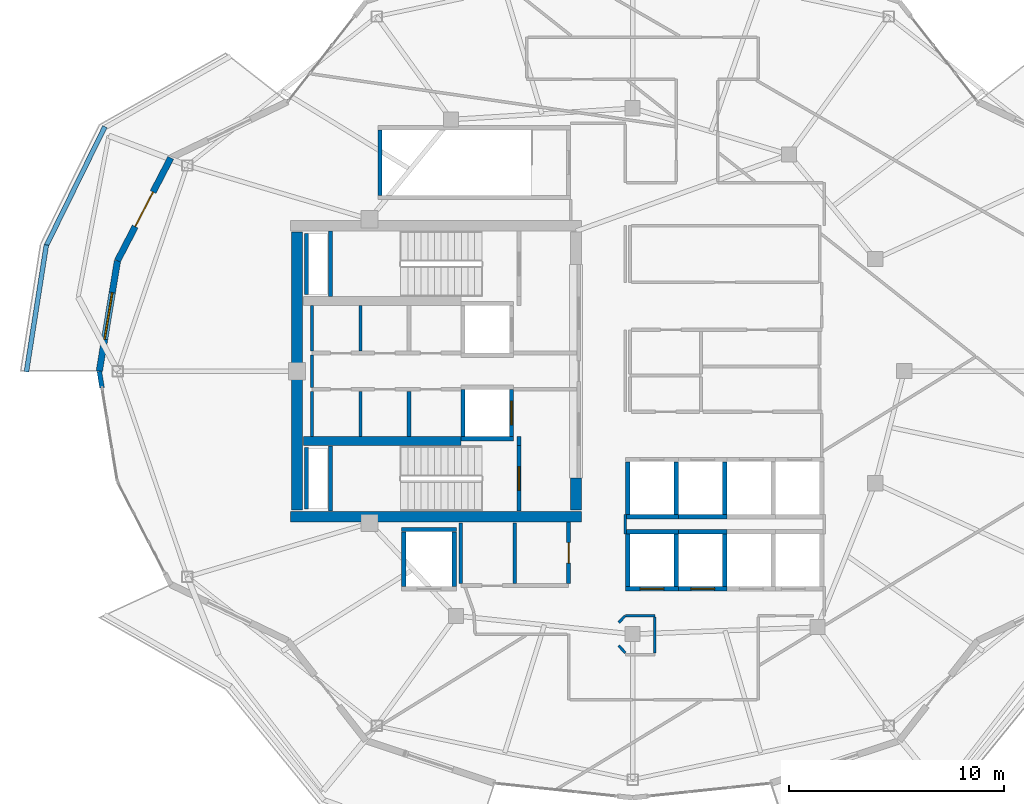
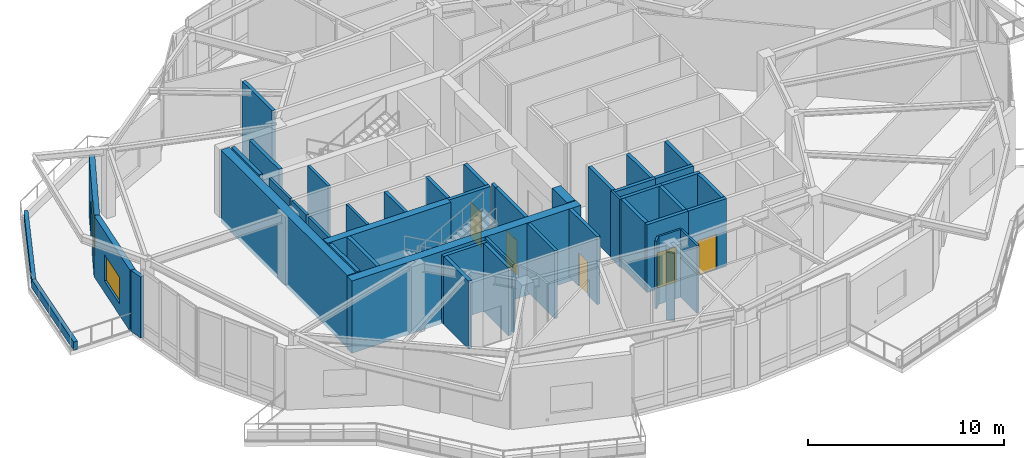
# One storey, part 9 of 15: 48 walls, 6 doors, 1 window, 7 openings.
"""IFC4 building model written with IfcOpenShell, lengths in metres."""

from ifc_helpers import new_model, si_unit, direction, frame, frame_2d, origin, place, context, subcontext, project, spatial, rectangle, extrude, material, layer, layer_set, type_object, element, fill, save


model = new_model("IFC4")

# Units and contexts
model_context = context("Model", 3, precision=1e-05, world=origin(), true_north=direction((0.0, 1.0)))
body_context = subcontext(model_context, "Body", "Model", "MODEL_VIEW")
ifc_project = project(units=[si_unit("LENGTHUNIT", "METRE"), si_unit("AREAUNIT", "SQUARE_METRE"), si_unit("VOLUMEUNIT", "CUBIC_METRE"), si_unit("PLANEANGLEUNIT", "RADIAN"), si_unit("MASSUNIT", "GRAM", prefix="KILO")], contexts=[model_context])

# Site, building, storey
site_placement = place(None, origin())
site = spatial("IfcSite", under=ifc_project, at=site_placement, CompositionType="ELEMENT")
building_placement = place(site_placement, origin())
building = spatial("IfcBuilding", under=site, at=building_placement, Name="Kolvaren Gate Tower and Convention Centre", CompositionType="ELEMENT")
storey_placement = place(building_placement, frame((0.0, 0.0, 191.89990234375)))
storey = spatial("IfcBuildingStorey", under=building, at=storey_placement, Name="L50", CompositionType="ELEMENT", Elevation=191.89990234375)

# Walls
ifc_material_1 = material(Name="Autoclaved Aerated Masonry Blockwork Class 4 (4.0 MPa)", Category="masonry")
ifc_layer_1 = layer(ifc_material_1, 0.179931640625)
ifc_layer_set_1 = layer_set([ifc_layer_1], Name="Autoclaved Aerated Masonry Blockwork Class 4 (4.0 MPa)")
wall_type_1 = type_object("IfcWallType", Name="ARCH-WL-COMP-180", PredefinedType="SOLIDWALL", material=ifc_layer_set_1)
wall_1_placement = place(storey_placement, frame((24.85009765625, 23.5400390625, 0.0), z_axis=(0.0, 0.0, 1.0), x_axis=(0.0, 1.0, 0.0)))
element("IfcWall", 1, at=wall_1_placement, inside=storey, type_object=wall_type_1, Name="Interior Partition WL-L50-INT-001", PredefinedType="SOLIDWALL", context=body_context, shape_type="SweptSolid", body=[
    extrude(rectangle(XDim=0.419921875, YDim=0.179931640625, at=frame_2d((0.2099609375, 0.0))), origin(), (0.0, 0.0, 1.0), 4.22998046875),
])
wall_2_placement = place(storey_placement, frame((19.75, 23.9619140625, 0.0), z_axis=(0.0, 0.0, 1.0), x_axis=(0.0, 1.0, 0.0)))
element("IfcWall", 2, at=wall_2_placement, inside=storey, type_object=wall_type_1, Name="Interior Partition WL-L50-INT-007", PredefinedType="SOLIDWALL", context=body_context, shape_type="SweptSolid", body=[
    extrude(rectangle(XDim=2.106201171875, YDim=0.179931640625, at=frame_2d((1.05322265625, 0.0))), origin(), (0.0, 0.0, 1.0), 4.22998046875),
])
wall_3_placement = place(storey_placement, frame((24.64990234375, 17.14208984375, 0.0), z_axis=(0.0, 0.0, 1.0), x_axis=(0.0, 1.0, 0.0)))
element("IfcWall", 3, at=wall_3_placement, inside=storey, type_object=wall_type_1, Name="Interior Partition WL-L50-INT-013", PredefinedType="SOLIDWALL", context=body_context, shape_type="SweptSolid", body=[
    extrude(rectangle(XDim=2.807861328125, YDim=0.179931640625, at=frame_2d((1.40380859375, 0.0))), origin(), (0.0, 0.0, 1.0), 4.22998046875),
])

# Wall, opening, door
wall_4_placement = place(storey_placement, frame((27.14990234375, 17.14208984375, 0.0), z_axis=(0.0, 0.0, 1.0), x_axis=(0.0, 1.0, 0.0)))
wall_4 = element("IfcWall", 4, at=wall_4_placement, inside=storey, type_object=wall_type_1, Name="Interior Partition WL-L50-INT-015", PredefinedType="SOLIDWALL", context=body_context, shape_type="SweptSolid", body=[
    extrude(rectangle(XDim=2.85595703125, YDim=0.179931640625, at=frame_2d((1.427978515625, 0.0))), origin(), (0.0, 0.0, 1.0), 4.22998046875),
])
opening_1_placement = place(wall_4_placement, frame((0.952880859375, 0.0, 0.0)))
opening_1 = element("IfcOpeningElement", 5, at=opening_1_placement, cuts=wall_4, Name="Opening DR-01", PredefinedType="OPENING", context=body_context, shape_type="SweptSolid", body=[
    extrude(rectangle(XDim=0.949951171875, YDim=2.10009765625, at=frame_2d((0.47509765625, 1.050048828125))), frame((0.0, 0.099853515625, 0.0), z_axis=(0.0, -1.0, 0.0), x_axis=(1.0, 0.0, 0.0)), (0.0, 0.0, 1.0), 0.199951171875),
])
ifc_material_2 = material(Name="Painted Architectural Steelwork ASTM A500 Grade C 345 MPa", Category="steel")
door_type_1 = type_object("IfcDoorType", Name="ARCH-DR-RISER-950", OperationType="SINGLE_SWING_RIGHT", PredefinedType="DOOR", material=ifc_material_2)
door_1_placement = place(opening_1_placement, origin())
door_1 = element("IfcDoor", 6, at=door_1_placement, inside=storey, type_object=door_type_1, Name="Metering Switch Room Door", OperationType="SINGLE_SWING_LEFT", OverallHeight=2.10009765625, OverallWidth=0.949951171875, PredefinedType="DOOR", context=body_context, shape_type="SweptSolid", body=[
    extrude(rectangle(XDim=0.949951171875, YDim=2.10009765625, at=frame_2d((0.47509765625, 1.050048828125))), frame((0.0, 0.02490234375, 0.0), z_axis=(0.0, -1.0, 0.0), x_axis=(1.0, 0.0, 0.0)), (0.0, 0.0, 1.0), 0.050048828125),
])
fill(opening_1, door_1)

# Walls
ifc_material_3 = material(Name="Fire-Rated Acoustic Gypsum Stud Partition", Category="gypsum")
ifc_layer_2 = layer(ifc_material_3, 0.1201171875)
ifc_layer_set_2 = layer_set([ifc_layer_2], Name="Fire-Rated Acoustic Gypsum Stud Partition")
wall_type_2 = type_object("IfcWallType", Name="ARCH-WL-PART-120", PredefinedType="PARTITIONING", material=ifc_layer_set_2)
wall_5_placement = place(storey_placement, frame((29.780029296875, 15.64990234375, 0.0), z_axis=(0.0, 0.0, 1.0), x_axis=(1.0, 0.0, 0.0)))
element("IfcWall", 7, at=wall_5_placement, inside=storey, type_object=wall_type_2, Name="Interior Partition WL-L50-INT-029", PredefinedType="PARTITIONING", context=body_context, shape_type="SweptSolid", body=[
    extrude(rectangle(XDim=1.369873046875, YDim=0.1201171875, at=frame_2d((0.68505859375, 0.0))), origin(), (0.0, 0.0, 1.0), 4.22998046875),
])
wall_6_placement = place(storey_placement, frame((29.780029296875, 19.43994140625, 0.0), z_axis=(0.0, 0.0, 1.0), x_axis=(0.0, 1.0, 0.0)))
element("IfcWall", 8, at=wall_6_placement, inside=storey, type_object=wall_type_2, Name="Interior Partition WL-L50-INT-039", PredefinedType="PARTITIONING", context=body_context, shape_type="SweptSolid", body=[
    extrude(rectangle(XDim=0.920166015625, YDim=0.1201171875, at=frame_2d((0.4599609375, 0.0))), origin(), (0.0, 0.0, 1.0), 4.22998046875),
])
wall_7_placement = place(storey_placement, frame((29.47607421875, 15.3330078125, 0.0), z_axis=(0.0, 0.0, 1.0), x_axis=(0.692219273951, 0.721687243043, 0.0)))
element("IfcWall", 9, at=wall_7_placement, inside=storey, type_object=wall_type_2, Name="Interior Partition WL-L50-INT-053", PredefinedType="PARTITIONING", context=body_context, shape_type="SweptSolid", body=[
    extrude(rectangle(XDim=0.439208984375, YDim=0.1201171875, at=frame_2d((0.2197265625, 0.0))), origin(), (0.0, 0.0, 1.0), 4.22998046875),
])
wall_8_placement = place(storey_placement, frame((29.47607421875, 14.26708984375, 0.0), z_axis=(0.0, 0.0, 1.0), x_axis=(0.670659392016, -0.741765448037, 0.0)))
element("IfcWall", 10, at=wall_8_placement, inside=storey, type_object=wall_type_2, Name="Interior Partition WL-L50-INT-054", PredefinedType="PARTITIONING", context=body_context, shape_type="SweptSolid", body=[
    extrude(rectangle(XDim=0.453125, YDim=0.1201171875, at=frame_2d((0.2265625, 0.0))), origin(), (0.0, 0.0, 1.0), 4.22998046875),
])
wall_9_placement = place(storey_placement, frame((31.14990234375, 13.912109375, 0.0), z_axis=(0.0, 0.0, 1.0), x_axis=(0.0, 1.0, 0.0)))
element("IfcWall", 11, at=wall_9_placement, inside=storey, type_object=wall_type_2, Name="Interior Partition WL-L50-INT-056", PredefinedType="PARTITIONING", context=body_context, shape_type="SweptSolid", body=[
    extrude(rectangle(XDim=1.67578125, YDim=0.1201171875, at=frame_2d((0.837890625, 0.0))), origin(), (0.0, 0.0, 1.0), 4.22998046875),
])
ifc_material_4 = material(Name="Bogota Sabana Bush-Hammered Sandstone Cladding", Category="masonry")
ifc_layer_3 = layer(ifc_material_4, 0.219970703125)
ifc_layer_set_3 = layer_set([ifc_layer_3], Name="Bogota Sabana Bush-Hammered Sandstone Cladding")
wall_type_3 = type_object("IfcWallType", Name="ARCH-WL-PIER-220", PredefinedType="SOLIDWALL", material=ifc_layer_set_3)
wall_10_placement = place(storey_placement, frame((5.375, 27.0, 0.0), z_axis=(0.0, 0.0, 1.0), x_axis=(0.162261020789, -0.986747871106, 0.0)))
element("IfcWall", 12, at=wall_10_placement, inside=storey, type_object=wall_type_3, Name="L50 Panoramic Structural Curtain Wall CW-12 Left Column Pier Wrap", PredefinedType="SOLIDWALL", context=body_context, shape_type="SweptSolid", body=[
    extrude(rectangle(XDim=0.77783203125, YDim=0.219970703125, at=frame_2d((0.388916015625, 0.0))), origin(), (0.0, 0.0, 1.0), 3.80517578125),
])
ifc_material_5 = material(Name="Piedmont Cream Honed Limestone Cladding", Category="masonry")
ifc_layer_4 = layer(ifc_material_5, 0.219970703125)
ifc_layer_set_4 = layer_set([ifc_layer_4], Name="Piedmont Cream Honed Limestone Cladding")
wall_type_4 = type_object("IfcWallType", Name="ARCH-WL-PLANTER-220", PredefinedType="PARAPET", material=ifc_layer_set_4)
wall_11_placement = place(storey_placement, frame((2.905517578125, 32.8037109375, 0.0), z_axis=(0.0, 0.0, 1.0), x_axis=(0.441640961804, 0.897191875162, 0.0)))
element("IfcWall", 13, at=wall_11_placement, inside=storey, type_object=wall_type_4, Name="Vertical-Forest Balcony Stone Planter Kerb PK-L50-2.2", PredefinedType="PARAPET", context=body_context, shape_type="SweptSolid", body=[
    extrude(rectangle(XDim=6.17822265625, YDim=0.219970703125, at=frame_2d((3.089111328125, 0.0))), origin(), (0.0, 0.0, 1.0), 0.52001953125),
])
wall_12_placement = place(storey_placement, frame((1.993408203125, 26.970703125, 0.0), z_axis=(0.0, 0.0, 1.0), x_axis=(0.1550711793, 0.987903299595, 0.0)))
element("IfcWall", 14, at=wall_12_placement, inside=storey, type_object=wall_type_4, Name="Vertical-Forest Balcony Stone Planter Kerb PK-L50-2.3", PredefinedType="PARAPET", context=body_context, shape_type="SweptSolid", body=[
    extrude(rectangle(XDim=5.963623046875, YDim=0.219970703125, at=frame_2d((2.98193359375, 0.0))), origin(), (0.0, 0.0, 1.0), 0.52001953125),
])
ifc_layer_5 = layer(ifc_material_1, 0.199951171875)
ifc_layer_set_5 = layer_set([ifc_layer_5], Name="Autoclaved Aerated Masonry Blockwork Class 4 (4.0 MPa)")
wall_type_5 = type_object("IfcWallType", Name="ARCH-WL-SHAFT-200", PredefinedType="SOLIDWALL", material=ifc_layer_set_5)
wall_13_placement = place(storey_placement, frame((22.14990234375, 23.860107421875, 0.0), z_axis=(0.0, 0.0, 1.0), x_axis=(1.0, 0.0, 0.0)))
element("IfcWall", 15, at=wall_13_placement, inside=storey, type_object=wall_type_5, Name="Elevator FF-02 L50 Fire Shaft Wall S", PredefinedType="SOLIDWALL", context=body_context, shape_type="SweptSolid", body=[
    extrude(rectangle(XDim=2.4501953125, YDim=0.199951171875, at=frame_2d((1.22509765625, 0.0))), origin(), (0.0, 0.0, 1.0), 4.22998046875),
])
wall_14_placement = place(storey_placement, frame((22.25, 23.969970703125, 0.0), z_axis=(0.0, 0.0, 1.0), x_axis=(0.0, 1.0, 0.0)))
element("IfcWall", 16, at=wall_14_placement, inside=storey, type_object=wall_type_5, Name="Elevator FF-02 L50 Fire Shaft Wall W", PredefinedType="SOLIDWALL", context=body_context, shape_type="SweptSolid", body=[
    extrude(rectangle(XDim=2.179931640625, YDim=0.199951171875, at=frame_2d((1.08984375, 0.0))), origin(), (0.0, 0.0, 1.0), 4.22998046875),
])

# Wall, opening, door
wall_15_placement = place(storey_placement, frame((24.5, 23.969970703125, 0.0), z_axis=(0.0, 0.0, 1.0), x_axis=(0.0, 1.0, 0.0)))
wall_15 = element("IfcWall", 17, at=wall_15_placement, inside=storey, type_object=wall_type_5, Name="Elevator FF-02 L50 Fire Shaft Wall E", PredefinedType="SOLIDWALL", context=body_context, shape_type="SweptSolid", body=[
    extrude(rectangle(XDim=2.179931640625, YDim=0.199951171875, at=frame_2d((1.08984375, 0.0))), origin(), (0.0, 0.0, 1.0), 4.22998046875),
])
opening_2_placement = place(wall_15_placement, frame((0.5400390625, 0.0, 0.0)))
opening_2 = element("IfcOpeningElement", 18, at=opening_2_placement, cuts=wall_15, Name="Opening LD", PredefinedType="OPENING", context=body_context, shape_type="SweptSolid", body=[
    extrude(rectangle(XDim=1.10009765625, YDim=2.199951171875, at=frame_2d((0.550048828125, 1.10009765625))), frame((0.0, 0.10986328125, 0.0), z_axis=(0.0, -1.0, 0.0), x_axis=(1.0, 0.0, 0.0)), (0.0, 0.0, 1.0), 0.219970703125),
])
ifc_material_6 = material(Name="Brushed Stainless Steel Grade 316L", Category="steel")
door_type_2 = type_object("IfcDoorType", Name="ARCH-DR-LIFT-1100", OperationType="SLIDING_TO_LEFT", PredefinedType="DOOR", material=ifc_material_6)
door_2_placement = place(opening_2_placement, origin())
door_2 = element("IfcDoor", 19, at=door_2_placement, inside=storey, type_object=door_type_2, Name="Elevator FF-02 L50 Sliding Landing Door", OperationType="SLIDING_TO_LEFT", OverallHeight=2.199951171875, OverallWidth=1.10009765625, PredefinedType="DOOR", context=body_context, shape_type="SweptSolid", body=[
    extrude(rectangle(XDim=1.10009765625, YDim=2.199951171875, at=frame_2d((0.550048828125, 1.10009765625))), frame((0.0, 0.02490234375, 0.0), z_axis=(0.0, -1.0, 0.0), x_axis=(1.0, 0.0, 0.0)), (0.0, 0.0, 1.0), 0.050048828125),
])
fill(opening_2, door_2)

# Walls
wall_16_placement = place(storey_placement, frame((19.39990234375, 19.64990234375, 0.0), z_axis=(0.0, 0.0, 1.0), x_axis=(1.0, 0.0, 0.0)))
element("IfcWall", 20, at=wall_16_placement, inside=storey, type_object=wall_type_5, Name="Elevator SV-01 L50 Fire Shaft Wall N", PredefinedType="SOLIDWALL", context=body_context, shape_type="SweptSolid", body=[
    extrude(rectangle(XDim=2.550048828125, YDim=0.199951171875, at=frame_2d((1.27490234375, 0.0))), origin(), (0.0, 0.0, 1.0), 4.22998046875),
])
for number, where, z_axis, x_axis, name in (
    (21, (19.5, 17.010009765625, 0.0), (0.0, 0.0, 1.0), (0.0, 1.0, 0.0), "Elevator SV-01 L50 Fire Shaft Wall W"),
    (22, (21.85009765625, 17.010009765625, 0.0), (0.0, 0.0, 1.0), (0.0, 1.0, 0.0), "Elevator SV-01 L50 Fire Shaft Wall E"),
):
    element("IfcWall", number, at=place(storey_placement, frame(where, z_axis=z_axis, x_axis=x_axis)), inside=storey, type_object=wall_type_5, Name=name, PredefinedType="SOLIDWALL", context=body_context, shape_type="SweptSolid", body=[
        extrude(rectangle(XDim=2.530029296875, YDim=0.199951171875, at=frame_2d((1.26513671875, 0.0))), origin(), (0.0, 0.0, 1.0), 4.22998046875),
    ])
wall_17_placement = place(storey_placement, frame((29.800048828125, 19.550048828125, 0.0), z_axis=(0.0, 0.0, 1.0), x_axis=(1.0, 0.0, 0.0)))
element("IfcWall", 23, at=wall_17_placement, inside=storey, type_object=wall_type_5, Name="Elevator PL-05 L50 Fire Shaft Wall N", PredefinedType="SOLIDWALL", context=body_context, shape_type="SweptSolid", body=[
    extrude(rectangle(XDim=2.449951171875, YDim=0.199951171875, at=frame_2d((1.22509765625, 0.0))), origin(), (0.0, 0.0, 1.0), 4.22998046875),
])

# Wall, opening, door
wall_18_placement = place(storey_placement, frame((29.800048828125, 16.89990234375, 0.0), z_axis=(0.0, 0.0, 1.0), x_axis=(1.0, 0.0, 0.0)))
wall_18 = element("IfcWall", 24, at=wall_18_placement, inside=storey, type_object=wall_type_5, Name="Elevator PL-05 L50 Fire Shaft Wall S", PredefinedType="SOLIDWALL", context=body_context, shape_type="SweptSolid", body=[
    extrude(rectangle(XDim=2.449951171875, YDim=0.199951171875, at=frame_2d((1.22509765625, 0.0))), origin(), (0.0, 0.0, 1.0), 4.22998046875),
])
opening_3_placement = place(wall_18_placement, frame((0.675048828125, 0.0, 0.0)))
opening_3 = element("IfcOpeningElement", 25, at=opening_3_placement, cuts=wall_18, Name="Opening LD", PredefinedType="OPENING", context=body_context, shape_type="SweptSolid", body=[
    extrude(rectangle(XDim=1.10009765625, YDim=2.199951171875, at=frame_2d((0.550048828125, 1.10009765625))), frame((0.0, 0.10986328125, 0.0), z_axis=(0.0, -1.0, 0.0), x_axis=(1.0, 0.0, 0.0)), (0.0, 0.0, 1.0), 0.219970703125),
])
door_3_placement = place(opening_3_placement, origin())
door_3 = element("IfcDoor", 26, at=door_3_placement, inside=storey, type_object=door_type_2, Name="Elevator PL-05 L50 Sliding Landing Door", OperationType="SLIDING_TO_LEFT", OverallHeight=2.199951171875, OverallWidth=1.10009765625, PredefinedType="DOOR", context=body_context, shape_type="SweptSolid", body=[
    extrude(rectangle(XDim=1.10009765625, YDim=2.199951171875, at=frame_2d((0.550048828125, 1.10009765625))), frame((0.0, 0.02490234375, 0.0), z_axis=(0.0, -1.0, 0.0), x_axis=(1.0, 0.0, 0.0)), (0.0, 0.0, 1.0), 0.050048828125),
])
fill(opening_3, door_3)

# Walls
for number, where, z_axis, x_axis, name in (
    (27, (29.89990234375, 17.010009765625, 0.0), (0.0, 0.0, 1.0), (0.0, 1.0, 0.0), "Elevator PL-05 L50 Fire Shaft Wall W"),
    (28, (32.14990234375, 17.010009765625, 0.0), (0.0, 0.0, 1.0), (0.0, 1.0, 0.0), "Elevator PL-05 L50 Fire Shaft Wall E"),
):
    element("IfcWall", number, at=place(storey_placement, frame(where, z_axis=z_axis, x_axis=x_axis)), inside=storey, type_object=wall_type_5, Name=name, PredefinedType="SOLIDWALL", context=body_context, shape_type="SweptSolid", body=[
        extrude(rectangle(XDim=2.429931640625, YDim=0.199951171875, at=frame_2d((1.21484375, 0.0))), origin(), (0.0, 0.0, 1.0), 4.22998046875),
    ])
wall_19_placement = place(storey_placement, frame((32.25, 19.550048828125, 0.0), z_axis=(0.0, 0.0, 1.0), x_axis=(1.0, 0.0, 0.0)))
element("IfcWall", 29, at=wall_19_placement, inside=storey, type_object=wall_type_5, Name="Elevator PL-06 L50 Fire Shaft Wall N", PredefinedType="SOLIDWALL", context=body_context, shape_type="SweptSolid", body=[
    extrude(rectangle(XDim=2.25, YDim=0.199951171875, at=frame_2d((1.125, 0.0))), origin(), (0.0, 0.0, 1.0), 4.22998046875),
])

# Wall, opening, door
wall_20_placement = place(storey_placement, frame((32.25, 16.89990234375, 0.0), z_axis=(0.0, 0.0, 1.0), x_axis=(1.0, 0.0, 0.0)))
wall_20 = element("IfcWall", 30, at=wall_20_placement, inside=storey, type_object=wall_type_5, Name="Elevator PL-06 L50 Fire Shaft Wall S", PredefinedType="SOLIDWALL", context=body_context, shape_type="SweptSolid", body=[
    extrude(rectangle(XDim=2.25, YDim=0.199951171875, at=frame_2d((1.125, 0.0))), origin(), (0.0, 0.0, 1.0), 4.22998046875),
])
opening_4_placement = place(wall_20_placement, frame((0.574951171875, 0.0, 0.0)))
opening_4 = element("IfcOpeningElement", 31, at=opening_4_placement, cuts=wall_20, Name="Opening LD", PredefinedType="OPENING", context=body_context, shape_type="SweptSolid", body=[
    extrude(rectangle(XDim=1.10009765625, YDim=2.199951171875, at=frame_2d((0.550048828125, 1.10009765625))), frame((0.0, 0.10986328125, 0.0), z_axis=(0.0, -1.0, 0.0), x_axis=(1.0, 0.0, 0.0)), (0.0, 0.0, 1.0), 0.219970703125),
])
door_4_placement = place(opening_4_placement, origin())
door_4 = element("IfcDoor", 32, at=door_4_placement, inside=storey, type_object=door_type_2, Name="Elevator PL-06 L50 Sliding Landing Door", OperationType="SLIDING_TO_LEFT", OverallHeight=2.199951171875, OverallWidth=1.10009765625, PredefinedType="DOOR", context=body_context, shape_type="SweptSolid", body=[
    extrude(rectangle(XDim=1.10009765625, YDim=2.199951171875, at=frame_2d((0.550048828125, 1.10009765625))), frame((0.0, 0.02490234375, 0.0), z_axis=(0.0, -1.0, 0.0), x_axis=(1.0, 0.0, 0.0)), (0.0, 0.0, 1.0), 0.050048828125),
])
fill(opening_4, door_4)

# Walls
wall_21_placement = place(storey_placement, frame((34.39990234375, 17.010009765625, 0.0), z_axis=(0.0, 0.0, 1.0), x_axis=(0.0, 1.0, 0.0)))
element("IfcWall", 33, at=wall_21_placement, inside=storey, type_object=wall_type_5, Name="Elevator PL-06 L50 Fire Shaft Wall E", PredefinedType="SOLIDWALL", context=body_context, shape_type="SweptSolid", body=[
    extrude(rectangle(XDim=2.429931640625, YDim=0.199951171875, at=frame_2d((1.21484375, 0.0))), origin(), (0.0, 0.0, 1.0), 4.22998046875),
])
wall_22_placement = place(storey_placement, frame((29.800048828125, 20.25, 0.0), z_axis=(0.0, 0.0, 1.0), x_axis=(1.0, 0.0, 0.0)))
element("IfcWall", 34, at=wall_22_placement, inside=storey, type_object=wall_type_5, Name="Elevator PL-09 L50 Fire Shaft Wall S", PredefinedType="SOLIDWALL", context=body_context, shape_type="SweptSolid", body=[
    extrude(rectangle(XDim=2.449951171875, YDim=0.199951171875, at=frame_2d((1.22509765625, 0.0))), origin(), (0.0, 0.0, 1.0), 4.22998046875),
])
for number, where, z_axis, x_axis, name in (
    (35, (29.89990234375, 20.360107421875, 0.0), (0.0, 0.0, 1.0), (0.0, 1.0, 0.0), "Elevator PL-09 L50 Fire Shaft Wall W"),
    (36, (32.14990234375, 20.360107421875, 0.0), (0.0, 0.0, 1.0), (0.0, 1.0, 0.0), "Elevator PL-09 L50 Fire Shaft Wall E"),
):
    element("IfcWall", number, at=place(storey_placement, frame(where, z_axis=z_axis, x_axis=x_axis)), inside=storey, type_object=wall_type_5, Name=name, PredefinedType="SOLIDWALL", context=body_context, shape_type="SweptSolid", body=[
        extrude(rectangle(XDim=2.429931640625, YDim=0.199951171875, at=frame_2d((1.21484375, 0.0))), origin(), (0.0, 0.0, 1.0), 4.22998046875),
    ])
wall_23_placement = place(storey_placement, frame((32.25, 20.25, 0.0), z_axis=(0.0, 0.0, 1.0), x_axis=(1.0, 0.0, 0.0)))
element("IfcWall", 37, at=wall_23_placement, inside=storey, type_object=wall_type_5, Name="Elevator PL-10 L50 Fire Shaft Wall S", PredefinedType="SOLIDWALL", context=body_context, shape_type="SweptSolid", body=[
    extrude(rectangle(XDim=2.25, YDim=0.199951171875, at=frame_2d((1.125, 0.0))), origin(), (0.0, 0.0, 1.0), 4.22998046875),
])
wall_24_placement = place(storey_placement, frame((34.39990234375, 20.360107421875, 0.0), z_axis=(0.0, 0.0, 1.0), x_axis=(0.0, 1.0, 0.0)))
element("IfcWall", 38, at=wall_24_placement, inside=storey, type_object=wall_type_5, Name="Elevator PL-10 L50 Fire Shaft Wall E", PredefinedType="SOLIDWALL", context=body_context, shape_type="SweptSolid", body=[
    extrude(rectangle(XDim=2.429931640625, YDim=0.199951171875, at=frame_2d((1.21484375, 0.0))), origin(), (0.0, 0.0, 1.0), 4.22998046875),
])
for number, where, z_axis, x_axis, name in (
    (39, (14.989990234375, 30.550048828125, 0.0), (0.0, 0.0, 1.0), (0.0, 1.0, 0.0), "Vertical Shaft HVR L50 EI-120 Enclosure Wall W"),
    (40, (14.989990234375, 20.60009765625, 0.0), (0.0, 0.0, 1.0), (0.0, 1.0, 0.0), "Vertical Shaft MPR L50 EI-120 Enclosure Wall W"),
):
    element("IfcWall", number, at=place(storey_placement, frame(where, z_axis=z_axis, x_axis=x_axis)), inside=storey, type_object=wall_type_5, Name=name, PredefinedType="SOLIDWALL", context=body_context, shape_type="SweptSolid", body=[
        extrude(rectangle(XDim=2.849853515625, YDim=0.199951171875, at=frame_2d((1.4248046875, 0.0))), origin(), (0.0, 0.0, 1.0), 4.22998046875),
    ])

# Wall, opening, door
ifc_layer_6 = layer(ifc_material_5, 0.300048828125)
ifc_layer_set_6 = layer_set([ifc_layer_6], Name="Piedmont Cream Honed Limestone Cladding")
wall_type_6 = type_object("IfcWallType", Name="ARCH-WL-STONE-300", PredefinedType="SOLIDWALL", material=ifc_layer_set_6)
wall_25_placement = place(storey_placement, frame((6.21826171875, 32.12451171875, 0.0), z_axis=(0.0, 0.0, 1.0), x_axis=(0.459808219482, 0.888018243786, 0.0)))
wall_25 = element("IfcWall", 41, at=wall_25_placement, inside=storey, type_object=wall_type_6, Name="Tower L50 Honed Stone Spandrel Wall EW-10", PredefinedType="SOLIDWALL", context=body_context, shape_type="SweptSolid", body=[
    extrude(rectangle(XDim=5.377685546875, YDim=0.300048828125, at=frame_2d((2.68896484375, 0.0))), origin(), (0.0, 0.0, 1.0), 3.80517578125),
])
opening_5_placement = place(wall_25_placement, frame((1.7890625, 0.0, 0.0)))
opening_5 = element("IfcOpeningElement", 42, at=opening_5_placement, cuts=wall_25, Name="Opening DB-01", PredefinedType="OPENING", context=body_context, shape_type="SweptSolid", body=[
    extrude(rectangle(XDim=1.800048828125, YDim=2.25, at=frame_2d((0.89990234375, 1.125))), frame((0.0, 0.159912109375, 0.0), z_axis=(0.0, -1.0, 0.0), x_axis=(1.0, 0.0, 0.0)), (0.0, 0.0, 1.0), 0.320068359375),
])
ifc_material_7 = material(Name="Anodized Architectural Aluminium Alloy 6063-T6", Category="aluminium")
door_type_3 = type_object("IfcDoorType", Name="ARCH-DR-BALC-1800", OperationType="SLIDING_TO_LEFT", PredefinedType="DOOR", material=ifc_material_7)
door_5_placement = place(opening_5_placement, origin())
door_5 = element("IfcDoor", 43, at=door_5_placement, inside=storey, type_object=door_type_3, Name="Planted Sky Terrace Access Door DB-L50-10", OperationType="SLIDING_TO_LEFT", OverallHeight=2.25, OverallWidth=1.800048828125, PredefinedType="DOOR", context=body_context, shape_type="SweptSolid", body=[
    extrude(rectangle(XDim=1.800048828125, YDim=2.25, at=frame_2d((0.89990234375, 1.125))), frame((0.0, 0.02490234375, 0.0), z_axis=(0.0, -1.0, 0.0), x_axis=(1.0, 0.0, 0.0)), (0.0, 0.0, 1.0), 0.050048828125),
])
fill(opening_5, door_5)

# Wall, opening, window
wall_26_placement = place(storey_placement, frame((5.375, 27.0, 0.0), z_axis=(0.0, 0.0, 1.0), x_axis=(0.16237087798, 0.986729799886, 0.0)))
wall_26 = element("IfcWall", 44, at=wall_26_placement, inside=storey, type_object=wall_type_6, Name="Tower L50 Honed Stone Spandrel Wall EW-11", PredefinedType="SOLIDWALL", context=body_context, shape_type="SweptSolid", body=[
    extrude(rectangle(XDim=5.193359375, YDim=0.300048828125, at=frame_2d((2.5966796875, 0.0))), origin(), (0.0, 0.0, 1.0), 3.80517578125),
])
opening_6_placement = place(wall_26_placement, frame((1.4970703125, 0.0, 0.719970703125)))
opening_6 = element("IfcOpeningElement", 45, at=opening_6_placement, cuts=wall_26, Name="Opening W-03", PredefinedType="OPENING", context=body_context, shape_type="SweptSolid", body=[
    extrude(rectangle(XDim=2.199951171875, YDim=1.64990234375, at=frame_2d((1.10009765625, 0.824951171875))), frame((0.0, 0.159912109375, 0.0), z_axis=(0.0, -1.0, 0.0), x_axis=(1.0, 0.0, 0.0)), (0.0, 0.0, 1.0), 0.320068359375),
])
ifc_material_8 = material(Name="Low-E Triple Insulated Glazing Unit 44 mm", Category="glass")
window_type = type_object("IfcWindowType", Name="ARCH-WN-RES-2200", PartitioningType="SINGLE_PANEL", PredefinedType="WINDOW", material=ifc_material_8)
window_placement = place(opening_6_placement, origin())
window = element("IfcWindow", 46, at=window_placement, inside=storey, type_object=window_type, Name="Tower L50 Punched Stone Facade Window W-11", OverallHeight=1.64990234375, OverallWidth=2.199951171875, PartitioningType="SINGLE_PANEL", PredefinedType="WINDOW", context=body_context, shape_type="SweptSolid", body=[
    extrude(rectangle(XDim=2.199951171875, YDim=1.64990234375, at=frame_2d((1.10009765625, 0.824951171875))), frame((0.0, 0.030029296875, 0.0), z_axis=(0.0, -1.0, 0.0), x_axis=(1.0, 0.0, 0.0)), (0.0, 0.0, 1.0), 0.06005859375),
])
fill(opening_6, window)

# Walls
ifc_material_9 = material(Name="Moisture-Resistant Cement-Board Acoustic Partition", Category="gypsum")
ifc_layer_7 = layer(ifc_material_9, 0.14990234375)
ifc_layer_set_7 = layer_set([ifc_layer_7], Name="Moisture-Resistant Cement-Board Acoustic Partition")
wall_type_7 = type_object("IfcWallType", Name="ARCH-WL-WET-150", PredefinedType="PARTITIONING", material=ifc_layer_set_7)
wall_27_placement = place(storey_placement, frame((15.25, 23.9619140625, 0.0), z_axis=(0.0, 0.0, 1.0), x_axis=(0.0, 1.0, 0.0)))
element("IfcWall", 47, at=wall_27_placement, inside=storey, type_object=wall_type_7, Name="Interior Partition WL-L50-INT-006", PredefinedType="PARTITIONING", context=body_context, shape_type="SweptSolid", body=[
    extrude(rectangle(XDim=2.106201171875, YDim=0.14990234375, at=frame_2d((1.05322265625, 0.0))), origin(), (0.0, 0.0, 1.0), 4.22998046875),
])
wall_28_placement = place(storey_placement, frame((15.25, 26.251953125, 0.0), z_axis=(0.0, 0.0, 1.0), x_axis=(0.0, 1.0, 0.0)))
element("IfcWall", 48, at=wall_28_placement, inside=storey, type_object=wall_type_7, Name="Interior Partition WL-L50-INT-006 (2)", PredefinedType="PARTITIONING", context=body_context, shape_type="SweptSolid", body=[
    extrude(rectangle(XDim=1.49609375, YDim=0.14990234375, at=frame_2d((0.748046875, 0.0))), origin(), (0.0, 0.0, 1.0), 4.22998046875),
])
for number, where, z_axis, x_axis, name in (
    (49, (15.25, 27.931884765625, 0.0), (0.0, 0.0, 1.0), (0.0, 1.0, 0.0), "Interior Partition WL-L50-INT-006 (3)"),
    (50, (17.5, 23.9619140625, 0.0), (0.0, 0.0, 1.0), (0.0, 1.0, 0.0), "Interior Partition WL-L50-INT-009"),
    (51, (17.5, 27.931884765625, 0.0), (0.0, 0.0, 1.0), (0.0, 1.0, 0.0), "Interior Partition WL-L50-INT-010"),
):
    element("IfcWall", number, at=place(storey_placement, frame(where, z_axis=z_axis, x_axis=x_axis)), inside=storey, type_object=wall_type_7, Name=name, PredefinedType="PARTITIONING", context=body_context, shape_type="SweptSolid", body=[
        extrude(rectangle(XDim=2.106201171875, YDim=0.14990234375, at=frame_2d((1.05322265625, 0.0))), origin(), (0.0, 0.0, 1.0), 4.22998046875),
    ])
wall_29_placement = place(storey_placement, frame((22.14990234375, 17.14208984375, 0.0), z_axis=(0.0, 0.0, 1.0), x_axis=(0.0, 1.0, 0.0)))
element("IfcWall", 52, at=wall_29_placement, inside=storey, type_object=wall_type_7, Name="Interior Partition WL-L50-INT-012", PredefinedType="PARTITIONING", context=body_context, shape_type="SweptSolid", body=[
    extrude(rectangle(XDim=2.807861328125, YDim=0.14990234375, at=frame_2d((1.40380859375, 0.0))), origin(), (0.0, 0.0, 1.0), 4.22998046875),
])
ifc_material_10 = material(Name="Concrete C50/60", Category="concrete")
ifc_layer_8 = layer(ifc_material_10, 0.419921875)
ifc_layer_set_8 = layer_set([ifc_layer_8], Name="Concrete C50/60")
wall_type_8 = type_object("IfcWallType", Name="STR-WL-CONV-420", PredefinedType="SHEAR", material=ifc_layer_set_8)
wall_30_placement = place(storey_placement, frame((14.85009765625, 23.75, -0.27978515625), z_axis=(0.0, 0.0, 1.0), x_axis=(1.0, 0.0, 0.0)))
element("IfcWall", 53, at=wall_30_placement, inside=storey, type_object=wall_type_8, Name="Tower L50 Offset Core Shear Wall WS", PredefinedType="SHEAR", context=body_context, shape_type="SweptSolid", body=[
    extrude(rectangle(XDim=7.2998046875, YDim=0.419921875, at=frame_2d((3.64990234375, 0.0))), origin(), (0.0, 0.0, 1.0), 4.509765625),
])
ifc_layer_9 = layer(ifc_material_10, 0.5)
ifc_layer_set_9 = layer_set([ifc_layer_9], Name="Concrete C50/60")
wall_type_9 = type_object("IfcWallType", Name="STR-WL-CORE-500", PredefinedType="SHEAR", material=ifc_layer_set_9)
wall_31_placement = place(storey_placement, frame((14.25, 20.25, -0.27978515625), z_axis=(0.0, 0.0, 1.0), x_axis=(1.0, 0.0, 0.0)))
element("IfcWall", 54, at=wall_31_placement, inside=storey, type_object=wall_type_9, Name="Tower L50 Offset Core Shear Wall S", PredefinedType="SHEAR", context=body_context, shape_type="SweptSolid", body=[
    extrude(rectangle(XDim=13.5, YDim=0.5, at=frame_2d((6.75, 0.0))), origin(), (0.0, 0.0, 1.0), 4.509765625),
])
wall_32_placement = place(storey_placement, frame((14.550048828125, 20.550048828125, -0.27978515625), z_axis=(0.0, 0.0, 1.0), x_axis=(0.0, 1.0, 0.0)))
element("IfcWall", 55, at=wall_32_placement, inside=storey, type_object=wall_type_9, Name="Tower L50 Offset Core Shear Wall W", PredefinedType="SHEAR", context=body_context, shape_type="SweptSolid", body=[
    extrude(rectangle(XDim=12.89990234375, YDim=0.5, at=frame_2d((6.449951171875, 0.0))), origin(), (0.0, 0.0, 1.0), 4.509765625),
])
wall_33_placement = place(storey_placement, frame((27.5, 20.550048828125, -0.27978515625), z_axis=(0.0, 0.0, 1.0), x_axis=(0.0, 1.0, 0.0)))
element("IfcWall", 56, at=wall_33_placement, inside=storey, type_object=wall_type_9, Name="Tower L50 Offset Core Shear Wall ES", PredefinedType="SHEAR", context=body_context, shape_type="SweptSolid", body=[
    extrude(rectangle(XDim=1.5, YDim=0.5, at=frame_2d((0.75, 0.0))), origin(), (0.0, 0.0, 1.0), 4.509765625),
])
ifc_layer_10 = layer(ifc_material_10, 0.199951171875)
ifc_layer_set_10 = layer_set([ifc_layer_10], Name="Concrete C50/60")
wall_type_10 = type_object("IfcWallType", Name="STR-WL-SHAFT-200", PredefinedType="SHEAR", material=ifc_layer_set_10)
wall_34_placement = place(storey_placement, frame((16.10009765625, 30.4619140625, -0.27978515625), z_axis=(0.0, 0.0, 1.0), x_axis=(0.0, 1.0, 0.0)))
element("IfcWall", 57, at=wall_34_placement, inside=storey, type_object=wall_type_10, Name="Tower North Exit Stair ST-T1 L50 Structural Shear Enclosure Wall FAR", PredefinedType="SHEAR", context=body_context, shape_type="SweptSolid", body=[
    extrude(rectangle(XDim=3.0361328125, YDim=0.199951171875, at=frame_2d((1.51806640625, 0.0))), origin(), (0.0, 0.0, 1.0), 4.509765625),
])

# Wall, opening, door
wall_35_placement = place(storey_placement, frame((24.85009765625, 20.501953125, -0.27978515625), z_axis=(0.0, 0.0, 1.0), x_axis=(0.0, 1.0, 0.0)))
wall_35 = element("IfcWall", 58, at=wall_35_placement, inside=storey, type_object=wall_type_10, Name="Tower South Exit Stair ST-T2 L50 Structural Shear Enclosure Wall NEAR", PredefinedType="SHEAR", context=body_context, shape_type="SweptSolid", body=[
    extrude(rectangle(XDim=3.0380859375, YDim=0.199951171875, at=frame_2d((1.51904296875, 0.0))), origin(), (0.0, 0.0, 1.0), 4.509765625),
])
opening_7_placement = place(wall_35_placement, frame((0.968994140625, 0.0, 0.280029296875)))
opening_7 = element("IfcOpeningElement", 59, at=opening_7_placement, cuts=wall_35, Name="Opening DS-01", PredefinedType="OPENING", context=body_context, shape_type="SweptSolid", body=[
    extrude(rectangle(XDim=1.10009765625, YDim=2.14990234375, at=frame_2d((0.550048828125, 1.074951171875))), frame((0.0, 0.10986328125, 0.0), z_axis=(0.0, -1.0, 0.0), x_axis=(1.0, 0.0, 0.0)), (0.0, 0.0, 1.0), 0.219970703125),
])
door_type_4 = type_object("IfcDoorType", Name="ARCH-DR-STAIR-1100", OperationType="SINGLE_SWING_LEFT", PredefinedType="DOOR", material=ifc_material_2)
door_6_placement = place(opening_7_placement, origin())
door_6 = element("IfcDoor", 60, at=door_6_placement, inside=storey, type_object=door_type_4, Name="Tower South Exit Stair ST-T2 L50 Fire Exit Stair Door", OperationType="SINGLE_SWING_RIGHT", OverallHeight=2.14990234375, OverallWidth=1.10009765625, PredefinedType="DOOR", context=body_context, shape_type="SweptSolid", body=[
    extrude(rectangle(XDim=1.10009765625, YDim=2.14990234375, at=frame_2d((0.550048828125, 1.074951171875))), frame((0.0, 0.02490234375, 0.0), z_axis=(0.0, -1.0, 0.0), x_axis=(1.0, 0.0, 0.0)), (0.0, 0.0, 1.0), 0.050048828125),
])
fill(opening_7, door_6)

# Walls
wall_36_placement = place(storey_placement, frame((16.10009765625, 20.501953125, -0.27978515625), z_axis=(0.0, 0.0, 1.0), x_axis=(0.0, 1.0, 0.0)))
element("IfcWall", 61, at=wall_36_placement, inside=storey, type_object=wall_type_10, Name="Tower South Exit Stair ST-T2 L50 Structural Shear Enclosure Wall FAR", PredefinedType="SHEAR", context=body_context, shape_type="SweptSolid", body=[
    extrude(rectangle(XDim=3.0361328125, YDim=0.199951171875, at=frame_2d((1.51806640625, 0.0))), origin(), (0.0, 0.0, 1.0), 4.509765625),
])
wall_37_placement = place(storey_placement, frame((18.39990234375, 35.159912109375, -0.27978515625), z_axis=(0.0, 0.0, 1.0), x_axis=(0.0, 1.0, 0.0)))
element("IfcWall", 62, at=wall_37_placement, inside=storey, type_object=wall_type_10, Name="Tower Mid-Zone Exit Stair ST-T3 L50 Structural Shear Enclosure Wall FAR", PredefinedType="SHEAR", context=body_context, shape_type="SweptSolid", body=[
    extrude(rectangle(XDim=3.0400390625, YDim=0.199951171875, at=frame_2d((1.52001953125, 0.0))), origin(), (0.0, 0.0, 1.0), 4.509765625),
])

save(model, "model.ifc")
